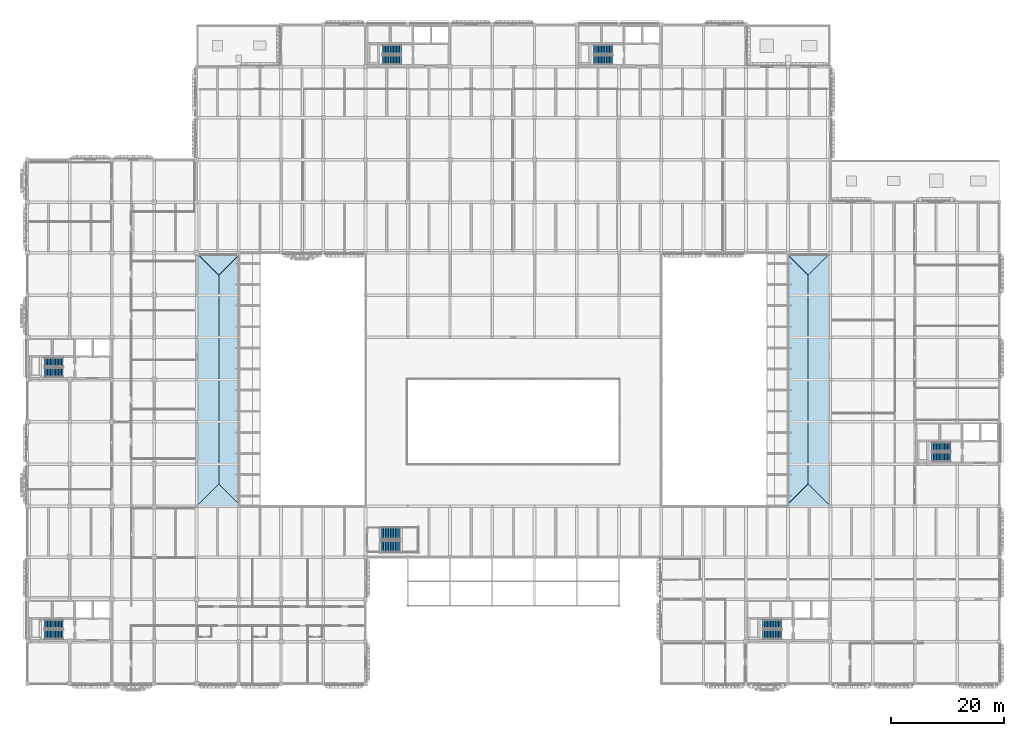
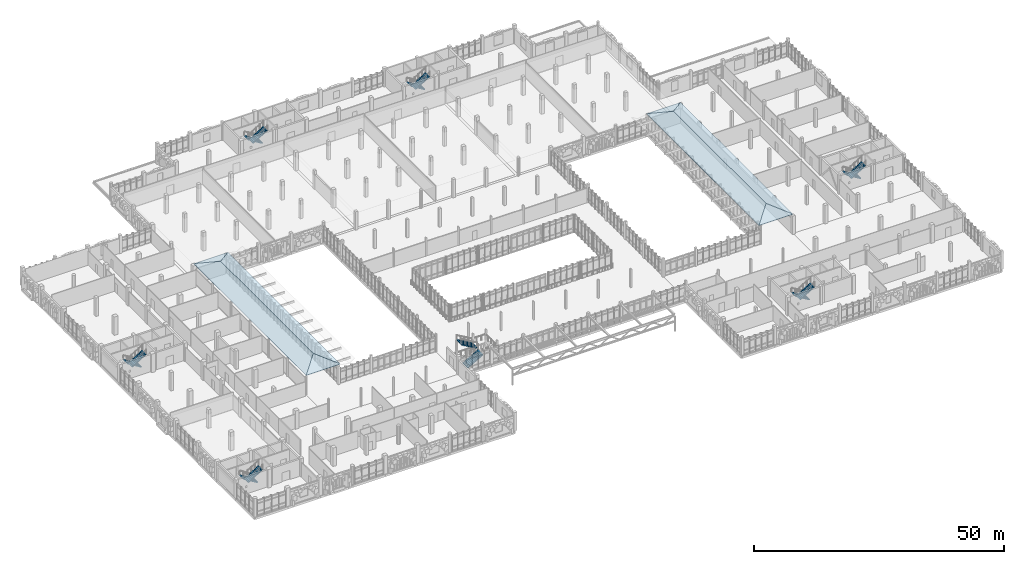
# One storey, part 106 of 128: 14 stair flights, 8 roofs, 7 elements without a shape of their own.
"""IFC4 building model written with IfcOpenShell, lengths in metres."""

from ifc_helpers import new_model, si_unit, direction, frame, origin, place, context, subcontext, project, spatial, polyline, outline, extrude, material, layer, layer_set, type_object, element, aggregate, save


model = new_model("IFC4")

# Units and contexts
model_context = context("Model", 3, precision=1e-05, world=origin(), true_north=direction((0.0, 1.0)))
body_context = subcontext(model_context, "Body", "Model", "MODEL_VIEW")
ifc_project = project(units=[si_unit("LENGTHUNIT", "METRE"), si_unit("AREAUNIT", "SQUARE_METRE"), si_unit("VOLUMEUNIT", "CUBIC_METRE"), si_unit("PLANEANGLEUNIT", "RADIAN"), si_unit("MASSUNIT", "GRAM", prefix="KILO")], contexts=[model_context])

# Site, building, storey
site_placement = place(None, origin())
site = spatial("IfcSite", under=ifc_project, at=site_placement, CompositionType="ELEMENT")
building_placement = place(site_placement, origin())
building = spatial("IfcBuilding", under=site, at=building_placement, Name="Dalvernix Boulevard General Hospital", CompositionType="ELEMENT")
storey_placement = place(building_placement, frame((0.0, 0.0, 4.800048828125)))
storey = spatial("IfcBuildingStorey", under=building, at=storey_placement, Name="L01", CompositionType="ELEMENT", Elevation=4.800048828125)

# Stair, stair flights
ifc_material_1 = material(Name="Precast concrete C40/50", Category="concrete")
stair_type_1 = type_object("IfcStairType", Name="IFCSTAIR-STC-165x450", PredefinedType="HALF_TURN_STAIR", material=ifc_material_1)
stair_1_placement = place(storey_placement, origin())
stair_1 = element("IfcStair", 1, at=stair_1_placement, inside=storey, type_object=stair_type_1, Name="L01 Core C1 Exit Stair ST-01", PredefinedType="HALF_TURN_STAIR")
stair_flight_type_1 = type_object("IfcStairFlightType", Name="IFCSTAIRFLIGHT-STF-165x450", PredefinedType="STRAIGHT", material=ifc_material_1)
stair_flight_1_placement = place(storey_placement, frame((6.35009765625, 10.574951171875, 0.0), z_axis=(0.0, 0.0, 1.0), x_axis=(-1.0, 0.0, 0.0)))
stair_flight_1 = element("IfcStairFlight", 2, at=stair_flight_1_placement, type_object=stair_flight_type_1, Name="ST-01 flight 1", NumberOfRisers=13, NumberOfTreads=12, PredefinedType="STRAIGHT", RiserHeight=0.173076923, TreadLength=0.28, context=body_context, shape_type="SweptSolid", body=[
    extrude(outline(polyline([(0.0, 0.0), (0.0, 0.173095703125), (0.280029296875, 0.173095703125), (0.280029296875, 0.34619140625), (0.56005859375, 0.34619140625), (0.56005859375, 0.519287109375), (0.840087890625, 0.519287109375), (0.840087890625, 0.6923828125), (1.1201171875, 0.6923828125), (1.1201171875, 0.865478515625), (1.39990234375, 0.865478515625), (1.39990234375, 1.03857421875), (1.679931640625, 1.03857421875), (1.679931640625, 1.21142578125), (1.9599609375, 1.21142578125), (1.9599609375, 1.384521484375), (2.239990234375, 1.384521484375), (2.239990234375, 1.5576171875), (2.52001953125, 1.5576171875), (2.52001953125, 1.730712890625), (2.800048828125, 1.730712890625), (2.800048828125, 1.90380859375), (3.080078125, 1.90380859375), (3.080078125, 2.076904296875), (3.360107421875, 2.076904296875), (3.360107421875, 2.25), (3.360107421875, 1.900634765625), (0.28515625, 0.0), (0.0, 0.0)])), frame((0.0, 0.824951171875, 0.0), z_axis=(0.0, -1.0, 0.0), x_axis=(1.0, 0.0, 0.0)), (0.0, 0.0, 1.0), 1.64990234375),
])
stair_flight_2_placement = place(storey_placement, frame((2.989990234375, 8.72509765625, 2.25), z_axis=(0.0, 0.0, 1.0), x_axis=(1.0, 0.0, 0.0)))
stair_flight_2 = element("IfcStairFlight", 3, at=stair_flight_2_placement, type_object=stair_flight_type_1, Name="ST-01 flight 2", NumberOfRisers=13, NumberOfTreads=12, PredefinedType="STRAIGHT", RiserHeight=0.173076923, TreadLength=0.28, context=body_context, shape_type="SweptSolid", body=[
    extrude(outline(polyline([(0.0, 0.0), (0.0, 0.173095703125), (0.280029296875, 0.173095703125), (0.280029296875, 0.34619140625), (0.56005859375, 0.34619140625), (0.56005859375, 0.519287109375), (0.840087890625, 0.519287109375), (0.840087890625, 0.6923828125), (1.1201171875, 0.6923828125), (1.1201171875, 0.865478515625), (1.39990234375, 0.865478515625), (1.39990234375, 1.03857421875), (1.679931640625, 1.03857421875), (1.679931640625, 1.21142578125), (1.9599609375, 1.21142578125), (1.9599609375, 1.384521484375), (2.239990234375, 1.384521484375), (2.239990234375, 1.5576171875), (2.52001953125, 1.5576171875), (2.52001953125, 1.730712890625), (2.800048828125, 1.730712890625), (2.800048828125, 1.90380859375), (3.080078125, 1.90380859375), (3.080078125, 2.076904296875), (3.360107421875, 2.076904296875), (3.360107421875, 2.25), (3.360107421875, 1.900634765625), (0.28515625, 0.0), (0.0, 0.0)])), frame((0.0, 0.824951171875, 0.0), z_axis=(0.0, -1.0, 0.0), x_axis=(1.0, 0.0, 0.0)), (0.0, 0.0, 1.0), 1.64990234375),
])
aggregate(stair_1, [stair_flight_1, stair_flight_2])

stair_2_placement = place(storey_placement, origin())
stair_2 = element("IfcStair", 4, at=stair_2_placement, inside=storey, type_object=stair_type_1, Name="L01 Core C2 Exit Stair ST-02", PredefinedType="HALF_TURN_STAIR")
stair_flight_3_placement = place(storey_placement, frame((6.35009765625, 57.074951171875, 0.0), z_axis=(0.0, 0.0, 1.0), x_axis=(-1.0, 0.0, 0.0)))
stair_flight_3 = element("IfcStairFlight", 5, at=stair_flight_3_placement, type_object=stair_flight_type_1, Name="ST-02 flight 1", NumberOfRisers=13, NumberOfTreads=12, PredefinedType="STRAIGHT", RiserHeight=0.173076923, TreadLength=0.28, context=body_context, shape_type="SweptSolid", body=[
    extrude(outline(polyline([(0.0, 0.0), (0.0, 0.173095703125), (0.280029296875, 0.173095703125), (0.280029296875, 0.34619140625), (0.56005859375, 0.34619140625), (0.56005859375, 0.519287109375), (0.840087890625, 0.519287109375), (0.840087890625, 0.6923828125), (1.1201171875, 0.6923828125), (1.1201171875, 0.865478515625), (1.39990234375, 0.865478515625), (1.39990234375, 1.03857421875), (1.679931640625, 1.03857421875), (1.679931640625, 1.21142578125), (1.9599609375, 1.21142578125), (1.9599609375, 1.384521484375), (2.239990234375, 1.384521484375), (2.239990234375, 1.5576171875), (2.52001953125, 1.5576171875), (2.52001953125, 1.730712890625), (2.800048828125, 1.730712890625), (2.800048828125, 1.90380859375), (3.080078125, 1.90380859375), (3.080078125, 2.076904296875), (3.360107421875, 2.076904296875), (3.360107421875, 2.25), (3.360107421875, 1.900634765625), (0.28515625, 0.0), (0.0, 0.0)])), frame((0.0, 0.824951171875, 0.0), z_axis=(0.0, -1.0, 0.0), x_axis=(1.0, 0.0, 0.0)), (0.0, 0.0, 1.0), 1.64990234375),
])
stair_flight_4_placement = place(storey_placement, frame((2.989990234375, 55.22509765625, 2.25), z_axis=(0.0, 0.0, 1.0), x_axis=(1.0, 0.0, 0.0)))
stair_flight_4 = element("IfcStairFlight", 6, at=stair_flight_4_placement, type_object=stair_flight_type_1, Name="ST-02 flight 2", NumberOfRisers=13, NumberOfTreads=12, PredefinedType="STRAIGHT", RiserHeight=0.173076923, TreadLength=0.28, context=body_context, shape_type="SweptSolid", body=[
    extrude(outline(polyline([(0.0, 0.0), (0.0, 0.173095703125), (0.280029296875, 0.173095703125), (0.280029296875, 0.34619140625), (0.56005859375, 0.34619140625), (0.56005859375, 0.519287109375), (0.840087890625, 0.519287109375), (0.840087890625, 0.6923828125), (1.1201171875, 0.6923828125), (1.1201171875, 0.865478515625), (1.39990234375, 0.865478515625), (1.39990234375, 1.03857421875), (1.679931640625, 1.03857421875), (1.679931640625, 1.21142578125), (1.9599609375, 1.21142578125), (1.9599609375, 1.384521484375), (2.239990234375, 1.384521484375), (2.239990234375, 1.5576171875), (2.52001953125, 1.5576171875), (2.52001953125, 1.730712890625), (2.800048828125, 1.730712890625), (2.800048828125, 1.90380859375), (3.080078125, 1.90380859375), (3.080078125, 2.076904296875), (3.360107421875, 2.076904296875), (3.360107421875, 2.25), (3.360107421875, 1.900634765625), (0.28515625, 0.0), (0.0, 0.0)])), frame((0.0, 0.824951171875, 0.0), z_axis=(0.0, -1.0, 0.0), x_axis=(1.0, 0.0, 0.0)), (0.0, 0.0, 1.0), 1.64990234375),
])
aggregate(stair_2, [stair_flight_3, stair_flight_4])

stair_3_placement = place(storey_placement, origin())
stair_3 = element("IfcStair", 7, at=stair_3_placement, inside=storey, type_object=stair_type_1, Name="L01 Core C3 Exit Stair ST-03", PredefinedType="HALF_TURN_STAIR")
stair_flight_5_placement = place(storey_placement, frame((66.35009765625, 112.574951171875, 0.0), z_axis=(0.0, 0.0, 1.0), x_axis=(-1.0, 0.0, 0.0)))
stair_flight_5 = element("IfcStairFlight", 8, at=stair_flight_5_placement, type_object=stair_flight_type_1, Name="ST-03 flight 1", NumberOfRisers=13, NumberOfTreads=12, PredefinedType="STRAIGHT", RiserHeight=0.173076923, TreadLength=0.28, context=body_context, shape_type="SweptSolid", body=[
    extrude(outline(polyline([(0.0, 0.0), (0.0, 0.173095703125), (0.280029296875, 0.173095703125), (0.280029296875, 0.34619140625), (0.56005859375, 0.34619140625), (0.56005859375, 0.519287109375), (0.840087890625, 0.519287109375), (0.840087890625, 0.6923828125), (1.1201171875, 0.6923828125), (1.1201171875, 0.865478515625), (1.39990234375, 0.865478515625), (1.39990234375, 1.03857421875), (1.679931640625, 1.03857421875), (1.679931640625, 1.21142578125), (1.9599609375, 1.21142578125), (1.9599609375, 1.384521484375), (2.239990234375, 1.384521484375), (2.239990234375, 1.5576171875), (2.52001953125, 1.5576171875), (2.52001953125, 1.730712890625), (2.800048828125, 1.730712890625), (2.800048828125, 1.90380859375), (3.080078125, 1.90380859375), (3.080078125, 2.076904296875), (3.360107421875, 2.076904296875), (3.360107421875, 2.25), (3.360107421875, 1.900634765625), (0.28515625, 0.0), (0.0, 0.0)])), frame((0.0, 0.824951171875, 0.0), z_axis=(0.0, -1.0, 0.0), x_axis=(1.0, 0.0, 0.0)), (0.0, 0.0, 1.0), 1.64990234375),
])
stair_flight_6_placement = place(storey_placement, frame((62.989990234375, 110.72509765625, 2.25), z_axis=(0.0, 0.0, 1.0), x_axis=(1.0, 0.0, 0.0)))
stair_flight_6 = element("IfcStairFlight", 9, at=stair_flight_6_placement, type_object=stair_flight_type_1, Name="ST-03 flight 2", NumberOfRisers=13, NumberOfTreads=12, PredefinedType="STRAIGHT", RiserHeight=0.173076923, TreadLength=0.28, context=body_context, shape_type="SweptSolid", body=[
    extrude(outline(polyline([(0.0, 0.0), (0.0, 0.173095703125), (0.280029296875, 0.173095703125), (0.280029296875, 0.34619140625), (0.56005859375, 0.34619140625), (0.56005859375, 0.519287109375), (0.840087890625, 0.519287109375), (0.840087890625, 0.6923828125), (1.1201171875, 0.6923828125), (1.1201171875, 0.865478515625), (1.39990234375, 0.865478515625), (1.39990234375, 1.03857421875), (1.679931640625, 1.03857421875), (1.679931640625, 1.21142578125), (1.9599609375, 1.21142578125), (1.9599609375, 1.384521484375), (2.239990234375, 1.384521484375), (2.239990234375, 1.5576171875), (2.52001953125, 1.5576171875), (2.52001953125, 1.730712890625), (2.800048828125, 1.730712890625), (2.800048828125, 1.90380859375), (3.080078125, 1.90380859375), (3.080078125, 2.076904296875), (3.360107421875, 2.076904296875), (3.360107421875, 2.25), (3.360107421875, 1.900634765625), (0.28515625, 0.0), (0.0, 0.0)])), frame((0.0, 0.824951171875, 0.0), z_axis=(0.0, -1.0, 0.0), x_axis=(1.0, 0.0, 0.0)), (0.0, 0.0, 1.0), 1.64990234375),
])
aggregate(stair_3, [stair_flight_5, stair_flight_6])

stair_4_placement = place(storey_placement, origin())
stair_4 = element("IfcStair", 10, at=stair_4_placement, inside=storey, type_object=stair_type_1, Name="L01 Core C4 Exit Stair ST-04", PredefinedType="HALF_TURN_STAIR")
stair_flight_7_placement = place(storey_placement, frame((103.85009765625, 112.574951171875, 0.0), z_axis=(0.0, 0.0, 1.0), x_axis=(-1.0, 0.0, 0.0)))
stair_flight_7 = element("IfcStairFlight", 11, at=stair_flight_7_placement, type_object=stair_flight_type_1, Name="ST-04 flight 1", NumberOfRisers=13, NumberOfTreads=12, PredefinedType="STRAIGHT", RiserHeight=0.173076923, TreadLength=0.28, context=body_context, shape_type="SweptSolid", body=[
    extrude(outline(polyline([(0.0, 0.0), (0.0, 0.173095703125), (0.280029296875, 0.173095703125), (0.280029296875, 0.34619140625), (0.56005859375, 0.34619140625), (0.56005859375, 0.519287109375), (0.840087890625, 0.519287109375), (0.840087890625, 0.6923828125), (1.1201171875, 0.6923828125), (1.1201171875, 0.865478515625), (1.39990234375, 0.865478515625), (1.39990234375, 1.03857421875), (1.679931640625, 1.03857421875), (1.679931640625, 1.21142578125), (1.9599609375, 1.21142578125), (1.9599609375, 1.384521484375), (2.239990234375, 1.384521484375), (2.239990234375, 1.5576171875), (2.52001953125, 1.5576171875), (2.52001953125, 1.730712890625), (2.800048828125, 1.730712890625), (2.800048828125, 1.90380859375), (3.080078125, 1.90380859375), (3.080078125, 2.076904296875), (3.360107421875, 2.076904296875), (3.360107421875, 2.25), (3.360107421875, 1.900634765625), (0.28515625, 0.0), (0.0, 0.0)])), frame((0.0, 0.824951171875, 0.0), z_axis=(0.0, -1.0, 0.0), x_axis=(1.0, 0.0, 0.0)), (0.0, 0.0, 1.0), 1.64990234375),
])
stair_flight_8_placement = place(storey_placement, frame((100.489990234375, 110.72509765625, 2.25), z_axis=(0.0, 0.0, 1.0), x_axis=(1.0, 0.0, 0.0)))
stair_flight_8 = element("IfcStairFlight", 12, at=stair_flight_8_placement, type_object=stair_flight_type_1, Name="ST-04 flight 2", NumberOfRisers=13, NumberOfTreads=12, PredefinedType="STRAIGHT", RiserHeight=0.173076923, TreadLength=0.28, context=body_context, shape_type="SweptSolid", body=[
    extrude(outline(polyline([(0.0, 0.0), (0.0, 0.173095703125), (0.280029296875, 0.173095703125), (0.280029296875, 0.34619140625), (0.56005859375, 0.34619140625), (0.56005859375, 0.519287109375), (0.840087890625, 0.519287109375), (0.840087890625, 0.6923828125), (1.1201171875, 0.6923828125), (1.1201171875, 0.865478515625), (1.39990234375, 0.865478515625), (1.39990234375, 1.03857421875), (1.679931640625, 1.03857421875), (1.679931640625, 1.21142578125), (1.9599609375, 1.21142578125), (1.9599609375, 1.384521484375), (2.239990234375, 1.384521484375), (2.239990234375, 1.5576171875), (2.52001953125, 1.5576171875), (2.52001953125, 1.730712890625), (2.800048828125, 1.730712890625), (2.800048828125, 1.90380859375), (3.080078125, 1.90380859375), (3.080078125, 2.076904296875), (3.360107421875, 2.076904296875), (3.360107421875, 2.25), (3.360107421875, 1.900634765625), (0.28515625, 0.0), (0.0, 0.0)])), frame((0.0, 0.824951171875, 0.0), z_axis=(0.0, -1.0, 0.0), x_axis=(1.0, 0.0, 0.0)), (0.0, 0.0, 1.0), 1.64990234375),
])
aggregate(stair_4, [stair_flight_7, stair_flight_8])

stair_5_placement = place(storey_placement, origin())
stair_5 = element("IfcStair", 13, at=stair_5_placement, inside=storey, type_object=stair_type_1, Name="L01 Core C5 Exit Stair ST-05", PredefinedType="HALF_TURN_STAIR")
stair_flight_9_placement = place(storey_placement, frame((133.85009765625, 10.574951171875, 0.0), z_axis=(0.0, 0.0, 1.0), x_axis=(-1.0, 0.0, 0.0)))
stair_flight_9 = element("IfcStairFlight", 14, at=stair_flight_9_placement, type_object=stair_flight_type_1, Name="ST-05 flight 1", NumberOfRisers=13, NumberOfTreads=12, PredefinedType="STRAIGHT", RiserHeight=0.173076923, TreadLength=0.28, context=body_context, shape_type="SweptSolid", body=[
    extrude(outline(polyline([(0.0, 0.0), (0.0, 0.173095703125), (0.280029296875, 0.173095703125), (0.280029296875, 0.34619140625), (0.56005859375, 0.34619140625), (0.56005859375, 0.519287109375), (0.840087890625, 0.519287109375), (0.840087890625, 0.6923828125), (1.1201171875, 0.6923828125), (1.1201171875, 0.865478515625), (1.39990234375, 0.865478515625), (1.39990234375, 1.03857421875), (1.679931640625, 1.03857421875), (1.679931640625, 1.21142578125), (1.9599609375, 1.21142578125), (1.9599609375, 1.384521484375), (2.239990234375, 1.384521484375), (2.239990234375, 1.5576171875), (2.52001953125, 1.5576171875), (2.52001953125, 1.730712890625), (2.800048828125, 1.730712890625), (2.800048828125, 1.90380859375), (3.080078125, 1.90380859375), (3.080078125, 2.076904296875), (3.360107421875, 2.076904296875), (3.360107421875, 2.25), (3.360107421875, 1.900634765625), (0.28515625, 0.0), (0.0, 0.0)])), frame((0.0, 0.824951171875, 0.0), z_axis=(0.0, -1.0, 0.0), x_axis=(1.0, 0.0, 0.0)), (0.0, 0.0, 1.0), 1.64990234375),
])
stair_flight_10_placement = place(storey_placement, frame((130.489990234375, 8.72509765625, 2.25), z_axis=(0.0, 0.0, 1.0), x_axis=(1.0, 0.0, 0.0)))
stair_flight_10 = element("IfcStairFlight", 15, at=stair_flight_10_placement, type_object=stair_flight_type_1, Name="ST-05 flight 2", NumberOfRisers=13, NumberOfTreads=12, PredefinedType="STRAIGHT", RiserHeight=0.173076923, TreadLength=0.28, context=body_context, shape_type="SweptSolid", body=[
    extrude(outline(polyline([(0.0, 0.0), (0.0, 0.173095703125), (0.280029296875, 0.173095703125), (0.280029296875, 0.34619140625), (0.56005859375, 0.34619140625), (0.56005859375, 0.519287109375), (0.840087890625, 0.519287109375), (0.840087890625, 0.6923828125), (1.1201171875, 0.6923828125), (1.1201171875, 0.865478515625), (1.39990234375, 0.865478515625), (1.39990234375, 1.03857421875), (1.679931640625, 1.03857421875), (1.679931640625, 1.21142578125), (1.9599609375, 1.21142578125), (1.9599609375, 1.384521484375), (2.239990234375, 1.384521484375), (2.239990234375, 1.5576171875), (2.52001953125, 1.5576171875), (2.52001953125, 1.730712890625), (2.800048828125, 1.730712890625), (2.800048828125, 1.90380859375), (3.080078125, 1.90380859375), (3.080078125, 2.076904296875), (3.360107421875, 2.076904296875), (3.360107421875, 2.25), (3.360107421875, 1.900634765625), (0.28515625, 0.0), (0.0, 0.0)])), frame((0.0, 0.824951171875, 0.0), z_axis=(0.0, -1.0, 0.0), x_axis=(1.0, 0.0, 0.0)), (0.0, 0.0, 1.0), 1.64990234375),
])
aggregate(stair_5, [stair_flight_9, stair_flight_10])

stair_6_placement = place(storey_placement, origin())
stair_6 = element("IfcStair", 16, at=stair_6_placement, inside=storey, type_object=stair_type_1, Name="L01 Core C6 Exit Stair ST-06", PredefinedType="HALF_TURN_STAIR")
stair_flight_11_placement = place(storey_placement, frame((163.85009765625, 42.074951171875, 0.0), z_axis=(0.0, 0.0, 1.0), x_axis=(-1.0, 0.0, 0.0)))
stair_flight_11 = element("IfcStairFlight", 17, at=stair_flight_11_placement, type_object=stair_flight_type_1, Name="ST-06 flight 1", NumberOfRisers=13, NumberOfTreads=12, PredefinedType="STRAIGHT", RiserHeight=0.173076923, TreadLength=0.28, context=body_context, shape_type="SweptSolid", body=[
    extrude(outline(polyline([(0.0, 0.0), (0.0, 0.173095703125), (0.280029296875, 0.173095703125), (0.280029296875, 0.34619140625), (0.56005859375, 0.34619140625), (0.56005859375, 0.519287109375), (0.840087890625, 0.519287109375), (0.840087890625, 0.6923828125), (1.1201171875, 0.6923828125), (1.1201171875, 0.865478515625), (1.39990234375, 0.865478515625), (1.39990234375, 1.03857421875), (1.679931640625, 1.03857421875), (1.679931640625, 1.21142578125), (1.9599609375, 1.21142578125), (1.9599609375, 1.384521484375), (2.239990234375, 1.384521484375), (2.239990234375, 1.5576171875), (2.52001953125, 1.5576171875), (2.52001953125, 1.730712890625), (2.800048828125, 1.730712890625), (2.800048828125, 1.90380859375), (3.080078125, 1.90380859375), (3.080078125, 2.076904296875), (3.360107421875, 2.076904296875), (3.360107421875, 2.25), (3.360107421875, 1.900634765625), (0.28515625, 0.0), (0.0, 0.0)])), frame((0.0, 0.824951171875, 0.0), z_axis=(0.0, -1.0, 0.0), x_axis=(1.0, 0.0, 0.0)), (0.0, 0.0, 1.0), 1.64990234375),
])
stair_flight_12_placement = place(storey_placement, frame((160.489990234375, 40.22509765625, 2.25), z_axis=(0.0, 0.0, 1.0), x_axis=(1.0, 0.0, 0.0)))
stair_flight_12 = element("IfcStairFlight", 18, at=stair_flight_12_placement, type_object=stair_flight_type_1, Name="ST-06 flight 2", NumberOfRisers=13, NumberOfTreads=12, PredefinedType="STRAIGHT", RiserHeight=0.173076923, TreadLength=0.28, context=body_context, shape_type="SweptSolid", body=[
    extrude(outline(polyline([(0.0, 0.0), (0.0, 0.173095703125), (0.280029296875, 0.173095703125), (0.280029296875, 0.34619140625), (0.56005859375, 0.34619140625), (0.56005859375, 0.519287109375), (0.840087890625, 0.519287109375), (0.840087890625, 0.6923828125), (1.1201171875, 0.6923828125), (1.1201171875, 0.865478515625), (1.39990234375, 0.865478515625), (1.39990234375, 1.03857421875), (1.679931640625, 1.03857421875), (1.679931640625, 1.21142578125), (1.9599609375, 1.21142578125), (1.9599609375, 1.384521484375), (2.239990234375, 1.384521484375), (2.239990234375, 1.5576171875), (2.52001953125, 1.5576171875), (2.52001953125, 1.730712890625), (2.800048828125, 1.730712890625), (2.800048828125, 1.90380859375), (3.080078125, 1.90380859375), (3.080078125, 2.076904296875), (3.360107421875, 2.076904296875), (3.360107421875, 2.25), (3.360107421875, 1.900634765625), (0.28515625, 0.0), (0.0, 0.0)])), frame((0.0, 0.824951171875, 0.0), z_axis=(0.0, -1.0, 0.0), x_axis=(1.0, 0.0, 0.0)), (0.0, 0.0, 1.0), 1.64990234375),
])
aggregate(stair_6, [stair_flight_11, stair_flight_12])

stair_type_2 = type_object("IfcStairType", Name="IFCSTAIR-STC-205x450", PredefinedType="HALF_TURN_STAIR", material=ifc_material_1)
stair_7_placement = place(storey_placement, origin())
stair_7 = element("IfcStair", 19, at=stair_7_placement, inside=storey, type_object=stair_type_2, Name="L01 Arrival Hall Monumental Stair ST-07", PredefinedType="HALF_TURN_STAIR")
stair_flight_type_2 = type_object("IfcStairFlightType", Name="IFCSTAIRFLIGHT-STF-205x450", PredefinedType="STRAIGHT", material=ifc_material_1)
stair_flight_13_placement = place(storey_placement, frame((62.60009765625, 24.375, 0.0), z_axis=(0.0, 0.0, 1.0), x_axis=(1.0, 0.0, 0.0)))
stair_flight_13 = element("IfcStairFlight", 20, at=stair_flight_13_placement, type_object=stair_flight_type_2, Name="ST-07 flight 1", NumberOfRisers=13, NumberOfTreads=12, PredefinedType="STRAIGHT", RiserHeight=0.173076923, TreadLength=0.3, context=body_context, shape_type="SweptSolid", body=[
    extrude(outline(polyline([(0.0, 0.0), (0.0, 0.173095703125), (0.300048828125, 0.173095703125), (0.300048828125, 0.34619140625), (0.60009765625, 0.34619140625), (0.60009765625, 0.519287109375), (0.89990234375, 0.519287109375), (0.89990234375, 0.6923828125), (1.199951171875, 0.6923828125), (1.199951171875, 0.865478515625), (1.5, 0.865478515625), (1.5, 1.03857421875), (1.800048828125, 1.03857421875), (1.800048828125, 1.21142578125), (2.10009765625, 1.21142578125), (2.10009765625, 1.384521484375), (2.39990234375, 1.384521484375), (2.39990234375, 1.5576171875), (2.699951171875, 1.5576171875), (2.699951171875, 1.730712890625), (3.0, 1.730712890625), (3.0, 1.90380859375), (3.300048828125, 1.90380859375), (3.300048828125, 2.076904296875), (3.60009765625, 2.076904296875), (3.60009765625, 2.25), (3.60009765625, 1.90380859375), (0.300048828125, 0.0), (0.0, 0.0)])), frame((0.0, 1.02490234375, 0.0), z_axis=(0.0, -1.0, 0.0), x_axis=(1.0, 0.0, 0.0)), (0.0, 0.0, 1.0), 2.050048828125),
])
stair_flight_14_placement = place(storey_placement, frame((66.199951171875, 26.72509765625, 2.25), z_axis=(0.0, 0.0, 1.0), x_axis=(-1.0, 0.0, 0.0)))
stair_flight_14 = element("IfcStairFlight", 21, at=stair_flight_14_placement, type_object=stair_flight_type_2, Name="ST-07 flight 2", NumberOfRisers=13, NumberOfTreads=12, PredefinedType="STRAIGHT", RiserHeight=0.173076923, TreadLength=0.3, context=body_context, shape_type="SweptSolid", body=[
    extrude(outline(polyline([(0.0, 0.0), (0.0, 0.173095703125), (0.300048828125, 0.173095703125), (0.300048828125, 0.34619140625), (0.60009765625, 0.34619140625), (0.60009765625, 0.519287109375), (0.89990234375, 0.519287109375), (0.89990234375, 0.6923828125), (1.199951171875, 0.6923828125), (1.199951171875, 0.865478515625), (1.5, 0.865478515625), (1.5, 1.03857421875), (1.800048828125, 1.03857421875), (1.800048828125, 1.21142578125), (2.10009765625, 1.21142578125), (2.10009765625, 1.384521484375), (2.39990234375, 1.384521484375), (2.39990234375, 1.5576171875), (2.699951171875, 1.5576171875), (2.699951171875, 1.730712890625), (3.0, 1.730712890625), (3.0, 1.90380859375), (3.300048828125, 1.90380859375), (3.300048828125, 2.076904296875), (3.60009765625, 2.076904296875), (3.60009765625, 2.25), (3.60009765625, 1.90380859375), (0.300048828125, 0.0), (0.0, 0.0)])), frame((0.0, 1.02490234375, 0.0), z_axis=(0.0, -1.0, 0.0), x_axis=(1.0, 0.0, 0.0)), (0.0, 0.0, 1.0), 2.050048828125),
])
aggregate(stair_7, [stair_flight_13, stair_flight_14])

# Roofs
ifc_material_2 = material(Name="Glazed Catalan terracotta roof tile on timber boarding", Category="masonry")
ifc_layer = layer(ifc_material_2, 0.1201171875)
ifc_layer_set = layer_set([ifc_layer], Name="Glazed Catalan terracotta roof tile on timber boarding (ROOF-UPT-01)")
roof_type = type_object("IfcRoofType", Name="ROOF-UPT-01", PredefinedType="HIP_ROOF", material=ifc_layer_set)
for number, where, z_axis, x_axis, name in (
    (22, (30.0, 76.5, 4.724853515625), (-0.375554849719, 0.0, 0.92680016986), (0.0, -1.0, 0.0), "V6W steep Catalan terracotta hipped roof W"),
    (23, (37.89990234375, 31.5, 4.724853515625), (0.375554849719, 0.0, 0.92680016986), (0.0, 1.0, 0.0), "V6W steep Catalan terracotta hipped roof E"),
):
    element("IfcRoof", number, at=place(storey_placement, frame(where, z_axis=z_axis, x_axis=x_axis)), inside=storey, type_object=roof_type, Name=name, PredefinedType="HIP_ROOF", context=body_context, shape_type="SweptSolid", body=[
        extrude(outline(polyline([(0.0, 0.0), (45.0, 0.0), (41.050048828125, 4.261923228252644), (3.949951171875, 4.261923228252644), (0.0, 0.0)])), origin(), (0.0, 0.0, -1.0), 0.1201171875),
    ])
for number, where, z_axis, x_axis, name in (
    (24, (30.0, 31.5, 4.724853515625), (0.0, -0.375554849719, 0.92680016986), (1.0, 0.0, 0.0), "V6W steep Catalan terracotta hipped roof S"),
    (25, (37.89990234375, 76.5, 4.724853515625), (0.0, 0.375554849719, 0.92680016986), (-1.0, 0.0, 0.0), "V6W steep Catalan terracotta hipped roof N"),
):
    element("IfcRoof", number, at=place(storey_placement, frame(where, z_axis=z_axis, x_axis=x_axis)), inside=storey, type_object=roof_type, Name=name, PredefinedType="HIP_ROOF", context=body_context, shape_type="SweptSolid", body=[
        extrude(outline(polyline([(0.0, 0.0), (7.89990234375, 0.0), (3.949951171875, 4.261923228252644), (0.0, 0.0)])), origin(), (0.0, 0.0, -1.0), 0.1201171875),
    ])
for number, where, z_axis, x_axis, name in (
    (26, (134.60009765625, 76.5, 4.724853515625), (-0.375554849719, 0.0, 0.92680016986), (0.0, -1.0, 0.0), "V6E steep Catalan terracotta hipped roof W"),
    (27, (142.5, 31.5, 4.724853515625), (0.375554849719, 0.0, 0.92680016986), (0.0, 1.0, 0.0), "V6E steep Catalan terracotta hipped roof E"),
):
    element("IfcRoof", number, at=place(storey_placement, frame(where, z_axis=z_axis, x_axis=x_axis)), inside=storey, type_object=roof_type, Name=name, PredefinedType="HIP_ROOF", context=body_context, shape_type="SweptSolid", body=[
        extrude(outline(polyline([(0.0, 0.0), (45.0, 0.0), (41.050048828125, 4.261923228252644), (3.949951171875, 4.261923228252644), (0.0, 0.0)])), origin(), (0.0, 0.0, -1.0), 0.1201171875),
    ])
for number, where, z_axis, x_axis, name in (
    (28, (134.60009765625, 31.5, 4.724853515625), (0.0, -0.375554849719, 0.92680016986), (1.0, 0.0, 0.0), "V6E steep Catalan terracotta hipped roof S"),
    (29, (142.5, 76.5, 4.724853515625), (0.0, 0.375554849719, 0.92680016986), (-1.0, 0.0, 0.0), "V6E steep Catalan terracotta hipped roof N"),
):
    element("IfcRoof", number, at=place(storey_placement, frame(where, z_axis=z_axis, x_axis=x_axis)), inside=storey, type_object=roof_type, Name=name, PredefinedType="HIP_ROOF", context=body_context, shape_type="SweptSolid", body=[
        extrude(outline(polyline([(0.0, 0.0), (7.89990234375, 0.0), (3.949951171875, 4.261923228252644), (0.0, 0.0)])), origin(), (0.0, 0.0, -1.0), 0.1201171875),
    ])

save(model, "model.ifc")
